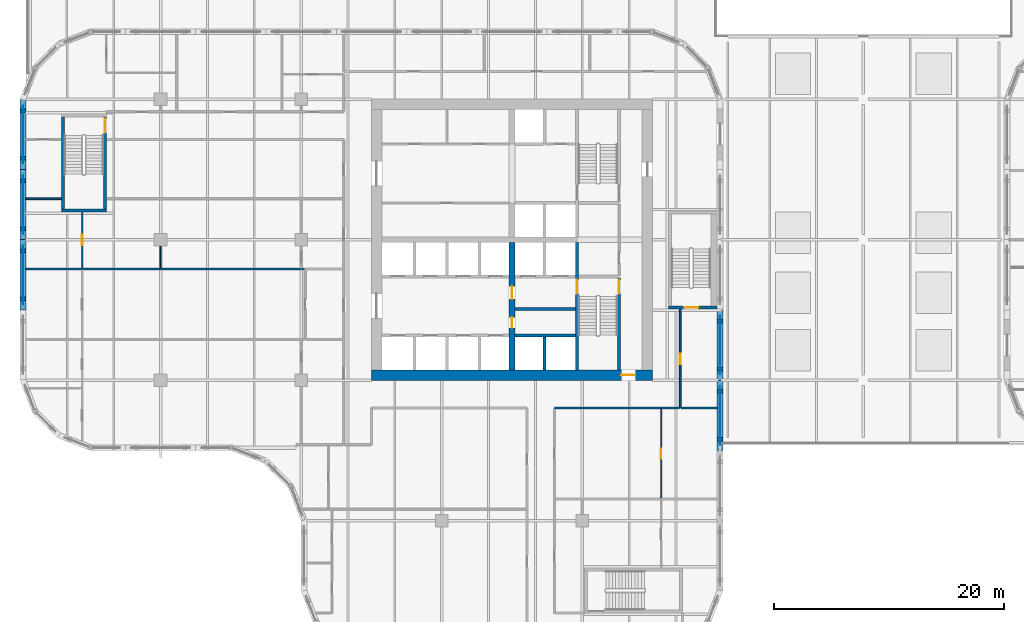
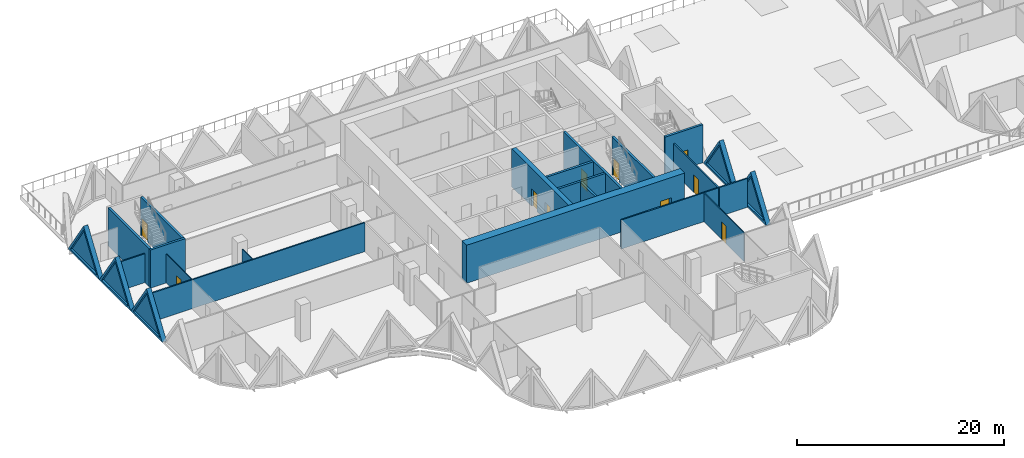
# One storey, part 9 of 21: 24 walls, 10 doors, 5 plates, 15 openings.
"""IFC4 building model written with IfcOpenShell, lengths in metres."""

from ifc_helpers import new_model, si_unit, direction, frame, frame_2d, origin, place, context, subcontext, project, spatial, polyline, rectangle, outline, extrude, faceted_brep, source, transform, mapped, material, layer, layer_set, type_object, element, fill, save


model = new_model("IFC4")

# Units and contexts
model_context = context("Model", 3, precision=1e-05, world=origin(), true_north=direction((0.0, 1.0)))
body_context = subcontext(model_context, "Body", "Model", "MODEL_VIEW")
ifc_project = project(units=[si_unit("LENGTHUNIT", "METRE"), si_unit("AREAUNIT", "SQUARE_METRE"), si_unit("VOLUMEUNIT", "CUBIC_METRE"), si_unit("PLANEANGLEUNIT", "RADIAN"), si_unit("MASSUNIT", "GRAM", prefix="KILO")], contexts=[model_context])

# Site, building, storey
site_placement = place(None, origin())
site = spatial("IfcSite", under=ifc_project, at=site_placement, CompositionType="ELEMENT")
building_placement = place(site_placement, origin())
building = spatial("IfcBuilding", under=site, at=building_placement, Name="Tessera Gate Towers", CompositionType="ELEMENT")
storey_placement = place(building_placement, frame((0.0, 0.0, 16.800048828125)))
storey = spatial("IfcBuildingStorey", under=building, at=storey_placement, Name="L03", CompositionType="ELEMENT", Elevation=16.800048828125)

# Wall, opening, door
ifc_material_1 = material(Name="Concrete C40/50", Category="concrete")
ifc_layer_1 = layer(ifc_material_1, 0.25)
ifc_layer_set_1 = layer_set([ifc_layer_1], Name="CORE ENCLOSURE WALL 250")
wall_type_1 = type_object("IfcWallType", Name="CORE ENCLOSURE WALL 250", PredefinedType="SOLIDWALL", material=ifc_layer_set_1)
wall_1_placement = place(storey_placement, frame((48.35009765625, 36.35009765625, 0.0), z_axis=(0.0, 0.0, 1.0), x_axis=(0.0, -1.0, 0.0)))
wall_1 = element("IfcWall", 1, at=wall_1_placement, inside=storey, type_object=wall_type_1, Name="L03 shaft and stair enclosure wall", PredefinedType="SOLIDWALL", context=body_context, shape_type="SweptSolid", body=[
    extrude(rectangle(XDim=11.050048828125, YDim=0.25, at=frame_2d((5.52490234375, 0.0))), origin(), (0.0, 0.0, 1.0), 4.5),
])
shared_shape_1 = source(origin(), body_context, "Body", "SweptSolid", [
    extrude(rectangle(XDim=1.199951171875, YDim=2.10009765625, at=frame_2d((0.60009765625, 1.050048828125))), frame((0.0, 0.135009765625, 0.0), z_axis=(0.0, -1.0, 0.0), x_axis=(1.0, 0.0, 0.0)), (0.0, 0.0, 1.0), 0.27001953125),
])
opening_1_placement = place(wall_1_placement, frame((3.22509765625, 0.0, 0.0)))
opening_1 = element("IfcOpeningElement", 2, at=opening_1_placement, cuts=wall_1, Name="Opening SD-ST1-1", PredefinedType="OPENING", context=body_context, shape_type="MappedRepresentation", body=[
    mapped(shared_shape_1, transform((0.0, 0.0, 0.0), scale=1.0)),
])
ifc_material_2 = material(Name="Hollow steel fire door", Category="steel")
door_type_1 = type_object("IfcDoorType", Name="CORE DOOR SD 1200x2100", OperationType="NOTDEFINED", PredefinedType="DOOR", material=ifc_material_2)
shared_shape_2 = source(origin(), body_context, "Body", "SweptSolid", [
    extrude(rectangle(XDim=1.199951171875, YDim=2.10009765625, at=frame_2d((0.60009765625, 1.050048828125))), frame((0.0, 0.02490234375, 0.0), z_axis=(0.0, -1.0, 0.0), x_axis=(1.0, 0.0, 0.0)), (0.0, 0.0, 1.0), 0.050048828125),
])
door_1_placement = place(opening_1_placement, origin())
door_1 = element("IfcDoor", 3, at=door_1_placement, inside=storey, type_object=door_type_1, Name="Stair door", OperationType="SINGLE_SWING_LEFT", OverallHeight=2.10009765625, OverallWidth=1.199951171875, PredefinedType="DOOR", context=body_context, shape_type="MappedRepresentation", body=[
    mapped(shared_shape_2, transform((0.0, 0.0, 0.0), scale=1.0)),
])
fill(opening_1, door_1)

# Wall
wall_2_placement = place(storey_placement, frame((42.949951171875, 28.300048828125, 0.0), z_axis=(0.0, 0.0, 1.0), x_axis=(1.0, 0.0, 0.0)))
element("IfcWall", 4, at=wall_2_placement, inside=storey, type_object=wall_type_1, Name="L03 shaft and stair enclosure wall", PredefinedType="SOLIDWALL", context=body_context, shape_type="SweptSolid", body=[
    extrude(rectangle(XDim=5.275146484375, YDim=0.25, at=frame_2d((2.6376953125, 0.0))), origin(), (0.0, 0.0, 1.0), 4.5),
])

# Wall, opening, door
wall_3_placement = place(storey_placement, frame((52.0, 25.300048828125, 0.0), z_axis=(0.0, 0.0, 1.0), x_axis=(0.0, 1.0, 0.0)))
wall_3 = element("IfcWall", 5, at=wall_3_placement, inside=storey, type_object=wall_type_1, Name="L03 shaft and stair enclosure wall", PredefinedType="SOLIDWALL", context=body_context, shape_type="SweptSolid", body=[
    extrude(rectangle(XDim=7.974853515625, YDim=0.25, at=frame_2d((3.9873046875, 0.0))), origin(), (0.0, 0.0, 1.0), 4.5),
])
opening_2_placement = place(wall_3_placement, frame((6.625, 0.0, 0.0)))
opening_2 = element("IfcOpeningElement", 6, at=opening_2_placement, cuts=wall_3, Name="Opening SD-ST1-2", PredefinedType="OPENING", context=body_context, shape_type="MappedRepresentation", body=[
    mapped(shared_shape_1, transform((0.0, 0.0, 0.0), scale=1.0)),
])
door_2_placement = place(opening_2_placement, origin())
door_2 = element("IfcDoor", 7, at=door_2_placement, inside=storey, type_object=door_type_1, Name="Stair door", OperationType="SINGLE_SWING_RIGHT", OverallHeight=2.10009765625, OverallWidth=1.199951171875, PredefinedType="DOOR", context=body_context, shape_type="MappedRepresentation", body=[
    mapped(shared_shape_2, transform((0.0, 0.0, 0.0), scale=1.0)),
])
fill(opening_2, door_2)

# Walls
wall_4_placement = place(storey_placement, frame((42.949951171875, 30.60009765625, 0.0), z_axis=(0.0, 0.0, 1.0), x_axis=(1.0, 0.0, 0.0)))
element("IfcWall", 8, at=wall_4_placement, inside=storey, type_object=wall_type_1, Name="L03 shaft and stair enclosure wall", PredefinedType="SOLIDWALL", context=body_context, shape_type="SweptSolid", body=[
    extrude(rectangle(XDim=5.275146484375, YDim=0.25, at=frame_2d((2.6376953125, 0.0))), origin(), (0.0, 0.0, 1.0), 4.5),
])
wall_5_placement = place(storey_placement, frame((45.52490234375, 25.300048828125, 0.0), z_axis=(0.0, 0.0, 1.0), x_axis=(0.0, 1.0, 0.0)))
element("IfcWall", 9, at=wall_5_placement, inside=storey, type_object=wall_type_1, Name="L03 shaft and stair enclosure wall", PredefinedType="SOLIDWALL", context=body_context, shape_type="SweptSolid", body=[
    extrude(rectangle(XDim=2.875, YDim=0.25, at=frame_2d((1.4375, 0.0))), origin(), (0.0, 0.0, 1.0), 4.5),
])
wall_6_placement = place(storey_placement, frame((7.5, 39.125, 0.0), z_axis=(0.0, 0.0, 1.0), x_axis=(-1.0, 0.0, 0.0)))
element("IfcWall", 10, at=wall_6_placement, inside=storey, type_object=wall_type_1, Name="L03 ST3 enclosure wall", PredefinedType="SOLIDWALL", context=body_context, shape_type="SweptSolid", body=[
    extrude(rectangle(XDim=3.89990234375, YDim=0.25, at=frame_2d((1.949951171875, 0.0))), origin(), (0.0, 0.0, 1.0), 4.5),
])
wall_7_placement = place(storey_placement, frame((3.72509765625, 39.25, 0.0), z_axis=(0.0, 0.0, 1.0), x_axis=(0.0, 1.0, 0.0)))
element("IfcWall", 11, at=wall_7_placement, inside=storey, type_object=wall_type_1, Name="L03 ST3 enclosure wall", PredefinedType="SOLIDWALL", context=body_context, shape_type="SweptSolid", body=[
    extrude(rectangle(XDim=8.0, YDim=0.25, at=frame_2d((4.0, 0.0))), origin(), (0.0, 0.0, 1.0), 4.5),
])

# Wall, opening, door
wall_8_placement = place(storey_placement, frame((7.375, 47.25, 0.0), z_axis=(0.0, 0.0, 1.0), x_axis=(0.0, -1.0, 0.0)))
wall_8 = element("IfcWall", 12, at=wall_8_placement, inside=storey, type_object=wall_type_1, Name="L03 ST3 enclosure wall", PredefinedType="SOLIDWALL", context=body_context, shape_type="SweptSolid", body=[
    extrude(rectangle(XDim=8.0, YDim=0.25, at=frame_2d((4.0, 0.0))), origin(), (0.0, 0.0, 1.0), 4.5),
])
opening_3_placement = place(wall_8_placement, frame((0.14990234375, 0.0, 0.0)))
opening_3 = element("IfcOpeningElement", 13, at=opening_3_placement, cuts=wall_8, Name="Opening SD-ST3-1", PredefinedType="OPENING", context=body_context, shape_type="MappedRepresentation", body=[
    mapped(shared_shape_1, transform((0.0, 0.0, 0.0), scale=1.0)),
])
door_3_placement = place(opening_3_placement, origin())
door_3 = element("IfcDoor", 14, at=door_3_placement, inside=storey, type_object=door_type_1, Name="Stair door", OperationType="SINGLE_SWING_LEFT", OverallHeight=2.10009765625, OverallWidth=1.199951171875, PredefinedType="DOOR", context=body_context, shape_type="MappedRepresentation", body=[
    mapped(shared_shape_2, transform((0.0, 0.0, 0.0), scale=1.0)),
])
fill(opening_3, door_3)

wall_9_placement = place(storey_placement, frame((60.5, 30.72509765625, 0.0), z_axis=(0.0, 0.0, 1.0), x_axis=(-1.0, 0.0, 0.0)))
wall_9 = element("IfcWall", 15, at=wall_9_placement, inside=storey, type_object=wall_type_1, Name="L03 ST5 enclosure wall", PredefinedType="SOLIDWALL", context=body_context, shape_type="SweptSolid", body=[
    extrude(rectangle(XDim=4.199951171875, YDim=0.25, at=frame_2d((2.10009765625, 0.0))), origin(), (0.0, 0.0, 1.0), 4.5),
])
opening_4_placement = place(wall_9_placement, frame((1.64990234375, 0.0, 0.0)))
opening_4 = element("IfcOpeningElement", 16, at=opening_4_placement, cuts=wall_9, Name="Opening SD-ST5-1", PredefinedType="OPENING", context=body_context, shape_type="MappedRepresentation", body=[
    mapped(shared_shape_1, transform((0.0, 0.0, 0.0), scale=1.0)),
])
door_4_placement = place(opening_4_placement, origin())
door_4 = element("IfcDoor", 17, at=door_4_placement, inside=storey, type_object=door_type_1, Name="Stair door", OperationType="SINGLE_SWING_RIGHT", OverallHeight=2.10009765625, OverallWidth=1.199951171875, PredefinedType="DOOR", context=body_context, shape_type="MappedRepresentation", body=[
    mapped(shared_shape_2, transform((0.0, 0.0, 0.0), scale=1.0)),
])
fill(opening_4, door_4)

ifc_material_3 = material(Name="Concrete C70/85", Category="concrete")
ifc_layer_2 = layer(ifc_material_3, 0.89990234375)
ifc_layer_set_2 = layer_set([ifc_layer_2], Name="CORE SHEAR WALL 900 C70/85")
wall_type_2 = type_object("IfcWallType", Name="CORE SHEAR WALL 900 C70/85", PredefinedType="SHEAR", material=ifc_layer_set_2)
wall_10_placement = place(storey_placement, frame((54.89990234375, 24.85009765625, 0.0), z_axis=(0.0, 0.0, 1.0), x_axis=(-1.0, 0.0, 0.0)))
wall_10 = element("IfcWall", 18, at=wall_10_placement, inside=storey, type_object=wall_type_2, Name="Core wall S L03", PredefinedType="SHEAR", context=body_context, shape_type="SweptSolid", body=[
    extrude(rectangle(XDim=24.39990234375, YDim=0.89990234375, at=frame_2d((12.199951171875, 0.0))), origin(), (0.0, 0.0, 1.0), 4.5),
])
shared_shape_3 = source(origin(), body_context, "Body", "SweptSolid", [
    extrude(rectangle(XDim=1.199951171875, YDim=2.10009765625, at=frame_2d((0.60009765625, 1.050048828125))), frame((0.0, 0.4599609375, 0.0), z_axis=(0.0, -1.0, 0.0), x_axis=(1.0, 0.0, 0.0)), (0.0, 0.0, 1.0), 0.919921875),
])
opening_5_placement = place(wall_10_placement, frame((1.5, 0.0, 0.0)))
opening_5 = element("IfcOpeningElement", 19, at=opening_5_placement, cuts=wall_10, Name="Opening ED-T1-04-01", PredefinedType="OPENING", context=body_context, shape_type="MappedRepresentation", body=[
    mapped(shared_shape_3, transform((0.0, 0.0, 0.0), scale=1.0)),
])
ifc_material_4 = material(Name="Hollow steel fire door", Category="steel")
door_type_2 = type_object("IfcDoorType", Name="CORE DOOR ED 1200x2100", OperationType="NOTDEFINED", PredefinedType="DOOR", material=ifc_material_4)
door_5_placement = place(opening_5_placement, origin())
door_5 = element("IfcDoor", 20, at=door_5_placement, inside=storey, type_object=door_type_2, Name="Core exit door", OperationType="SINGLE_SWING_LEFT", OverallHeight=2.10009765625, OverallWidth=1.199951171875, PredefinedType="DOOR", context=body_context, shape_type="MappedRepresentation", body=[
    mapped(shared_shape_2, transform((0.0, 0.0, 0.0), scale=1.0)),
])
fill(opening_5, door_5)

# Wall, openings, doors
ifc_material_5 = material(Name="Concrete C70/85", Category="concrete")
ifc_layer_3 = layer(ifc_material_5, 0.5)
ifc_layer_set_3 = layer_set([ifc_layer_3], Name="CORE SPINE WALL 500 C70/85")
wall_type_3 = type_object("IfcWallType", Name="CORE SPINE WALL 500 C70/85", PredefinedType="SHEAR", material=ifc_layer_set_3)
wall_11_placement = place(storey_placement, frame((42.699951171875, 36.35009765625, 0.0), z_axis=(0.0, 0.0, 1.0), x_axis=(0.0, -1.0, 0.0)))
wall_11 = element("IfcWall", 21, at=wall_11_placement, inside=storey, type_object=wall_type_3, Name="Core wall spine L03", PredefinedType="SHEAR", context=body_context, shape_type="SweptSolid", body=[
    extrude(rectangle(XDim=11.050048828125, YDim=0.5, at=frame_2d((5.52490234375, 0.0))), origin(), (0.0, 0.0, 1.0), 4.5),
])
shared_shape_4 = source(origin(), body_context, "Body", "SweptSolid", [
    extrude(rectangle(XDim=0.89990234375, YDim=2.10009765625, at=frame_2d((0.449951171875, 1.050048828125))), frame((0.0, 0.260009765625, 0.0), z_axis=(0.0, -1.0, 0.0), x_axis=(1.0, 0.0, 0.0)), (0.0, 0.0, 1.0), 0.52001953125),
])
opening_6_placement = place(wall_11_placement, frame((6.5, 0.0, 0.0)))
opening_6 = element("IfcOpeningElement", 22, at=opening_6_placement, cuts=wall_11, Name="Opening RD-T1-04-05", PredefinedType="OPENING", context=body_context, shape_type="MappedRepresentation", body=[
    mapped(shared_shape_4, transform((0.0, 0.0, 0.0), scale=1.0)),
])
shared_shape_5 = source(origin(), body_context, "Body", "SweptSolid", [
    extrude(rectangle(XDim=1.10009765625, YDim=2.10009765625, at=frame_2d((0.550048828125, 1.050048828125))), frame((0.0, 0.260009765625, 0.0), z_axis=(0.0, -1.0, 0.0), x_axis=(1.0, 0.0, 0.0)), (0.0, 0.0, 1.0), 0.52001953125),
])
opening_7_placement = place(wall_11_placement, frame((3.800048828125, 0.0, 0.0)))
opening_7 = element("IfcOpeningElement", 23, at=opening_7_placement, cuts=wall_11, Name="Opening FD-T1-04-06", PredefinedType="OPENING", context=body_context, shape_type="MappedRepresentation", body=[
    mapped(shared_shape_5, transform((0.0, 0.0, 0.0), scale=1.0)),
])
ifc_material_6 = material(Name="Hollow steel fire door", Category="steel")
door_type_3 = type_object("IfcDoorType", Name="CORE DOOR RD 900x2100", OperationType="NOTDEFINED", PredefinedType="DOOR", material=ifc_material_6)
shared_shape_6 = source(origin(), body_context, "Body", "SweptSolid", [
    extrude(rectangle(XDim=0.89990234375, YDim=2.10009765625, at=frame_2d((0.449951171875, 1.050048828125))), frame((0.0, 0.02490234375, 0.0), z_axis=(0.0, -1.0, 0.0), x_axis=(1.0, 0.0, 0.0)), (0.0, 0.0, 1.0), 0.050048828125),
])
door_6_placement = place(opening_6_placement, origin())
door_6 = element("IfcDoor", 24, at=door_6_placement, inside=storey, type_object=door_type_3, Name="Core room door", OperationType="SINGLE_SWING_RIGHT", OverallHeight=2.10009765625, OverallWidth=0.89990234375, PredefinedType="DOOR", context=body_context, shape_type="MappedRepresentation", body=[
    mapped(shared_shape_6, transform((0.0, 0.0, 0.0), scale=1.0)),
])
fill(opening_6, door_6)
ifc_material_7 = material(Name="Hollow steel fire door", Category="steel")
door_type_4 = type_object("IfcDoorType", Name="CORE DOOR FD 1100x2100", OperationType="NOTDEFINED", PredefinedType="DOOR", material=ifc_material_7)
shared_shape_7 = source(origin(), body_context, "Body", "SweptSolid", [
    extrude(rectangle(XDim=1.10009765625, YDim=2.10009765625, at=frame_2d((0.550048828125, 1.050048828125))), frame((0.0, 0.02490234375, 0.0), z_axis=(0.0, -1.0, 0.0), x_axis=(1.0, 0.0, 0.0)), (0.0, 0.0, 1.0), 0.050048828125),
])
door_7_placement = place(opening_7_placement, origin())
door_7 = element("IfcDoor", 25, at=door_7_placement, inside=storey, type_object=door_type_4, Name="Fire-fighting lobby door", OperationType="SINGLE_SWING_LEFT", OverallHeight=2.10009765625, OverallWidth=1.10009765625, PredefinedType="DOOR", context=body_context, shape_type="MappedRepresentation", body=[
    mapped(shared_shape_7, transform((0.0, 0.0, 0.0), scale=1.0)),
])
fill(opening_7, door_7)

# Wall
ifc_material_8 = material(Name="Gypsum board on steel studs, mineral wool", Category="steel")
ifc_layer_4 = layer(ifc_material_8, 0.14990234375)
ifc_layer_set_4 = layer_set([ifc_layer_4], Name="CORRIDOR WALL 150")
wall_type_4 = type_object("IfcWallType", Name="CORRIDOR WALL 150", PredefinedType="PARTITIONING", material=ifc_layer_set_4)
wall_12_placement = place(storey_placement, frame((46.39990234375, 22.0, 0.0), z_axis=(0.0, 0.0, 1.0), x_axis=(1.0, 0.0, 0.0)))
element("IfcWall", 26, at=wall_12_placement, inside=storey, type_object=wall_type_4, Name="T1-L03-PW-023", PredefinedType="PARTITIONING", context=body_context, shape_type="SweptSolid", body=[
    extrude(rectangle(XDim=10.82421875, YDim=0.14990234375, at=frame_2d((5.412109375, 0.0))), origin(), (0.0, 0.0, 1.0), 3.4150390625),
])

# Wall, opening, door
wall_13_placement = place(storey_placement, frame((57.300048828125, 30.60009765625, 0.0), z_axis=(0.0, 0.0, 1.0), x_axis=(0.0, -1.0, 0.0)))
wall_13 = element("IfcWall", 27, at=wall_13_placement, inside=storey, type_object=wall_type_4, Name="T1-L03-PW-024", PredefinedType="PARTITIONING", context=body_context, shape_type="SweptSolid", body=[
    extrude(rectangle(XDim=8.60009765625, YDim=0.14990234375, at=frame_2d((4.300048828125, 0.0))), origin(), (0.0, 0.0, 1.0), 3.4150390625),
])
shared_shape_8 = source(origin(), body_context, "Body", "SweptSolid", [
    extrude(rectangle(XDim=0.89990234375, YDim=2.10009765625, at=frame_2d((0.449951171875, 1.050048828125))), frame((0.0, 0.0849609375, 0.0), z_axis=(0.0, -1.0, 0.0), x_axis=(1.0, 0.0, 0.0)), (0.0, 0.0, 1.0), 0.169921875),
])
opening_8_placement = place(wall_13_placement, frame((3.89990234375, 0.0, 0.0)))
opening_8 = element("IfcOpeningElement", 28, at=opening_8_placement, cuts=wall_13, Name="Opening D890FD60-A00-05", PredefinedType="OPENING", context=body_context, shape_type="MappedRepresentation", body=[
    mapped(shared_shape_8, transform((0.0, 0.0, 0.0), scale=1.0)),
])
ifc_material_9 = material(Name="Timber door leaf in steel frame", Category="steel")
door_type_5 = type_object("IfcDoorType", Name="CORRIDOR DOOR 900 FD60", OperationType="NOTDEFINED", PredefinedType="DOOR", material=ifc_material_9)
door_8_placement = place(opening_8_placement, origin())
door_8 = element("IfcDoor", 29, at=door_8_placement, inside=storey, type_object=door_type_5, Name="T1-L03-PD-022", OperationType="SINGLE_SWING_RIGHT", OverallHeight=2.10009765625, OverallWidth=0.89990234375, PredefinedType="DOOR", context=body_context, shape_type="MappedRepresentation", body=[
    mapped(shared_shape_6, transform((0.0, 0.0, 0.0), scale=1.0)),
])
fill(opening_8, door_8)

ifc_material_10 = material(Name="Gypsum board on steel studs", Category="steel")
ifc_layer_5 = layer(ifc_material_10, 0.10009765625)
ifc_layer_set_5 = layer_set([ifc_layer_5], Name="PARTITION 100")
wall_type_5 = type_object("IfcWallType", Name="PARTITION 100", PredefinedType="PARTITIONING", material=ifc_layer_set_5)
wall_14_placement = place(storey_placement, frame((55.64990234375, 21.924072265625, 0.0), z_axis=(0.0, 0.0, 1.0), x_axis=(0.0, -1.0, 0.0)))
wall_14 = element("IfcWall", 30, at=wall_14_placement, inside=storey, type_object=wall_type_5, Name="T1-L03-PW-014", PredefinedType="PARTITIONING", context=body_context, shape_type="SweptSolid", body=[
    extrude(rectangle(XDim=7.748046875, YDim=0.10009765625, at=frame_2d((3.8740234375, 0.0))), origin(), (0.0, 0.0, 1.0), 3.4150390625),
])
shared_shape_9 = source(origin(), body_context, "Body", "SweptSolid", [
    extrude(rectangle(XDim=0.89990234375, YDim=2.10009765625, at=frame_2d((0.449951171875, 1.050048828125))), frame((0.0, 0.06005859375, 0.0), z_axis=(0.0, -1.0, 0.0), x_axis=(1.0, 0.0, 0.0)), (0.0, 0.0, 1.0), 0.1201171875),
])
opening_9_placement = place(wall_14_placement, frame((3.447998046875, 0.0, 0.0)))
opening_9 = element("IfcOpeningElement", 31, at=opening_9_placement, cuts=wall_14, Name="Opening D190-A00-11", PredefinedType="OPENING", context=body_context, shape_type="MappedRepresentation", body=[
    mapped(shared_shape_9, transform((0.0, 0.0, 0.0), scale=1.0)),
])
ifc_material_11 = material(Name="Timber door leaf in steel frame", Category="steel")
door_type_6 = type_object("IfcDoorType", Name="INTERNAL DOOR 900 NOT RATED", OperationType="NOTDEFINED", PredefinedType="DOOR", material=ifc_material_11)
door_9_placement = place(opening_9_placement, origin())
door_9 = element("IfcDoor", 32, at=door_9_placement, inside=storey, type_object=door_type_6, Name="T1-L03-PD-019", OperationType="SINGLE_SWING_RIGHT", OverallHeight=2.10009765625, OverallWidth=0.89990234375, PredefinedType="DOOR", context=body_context, shape_type="MappedRepresentation", body=[
    mapped(shared_shape_6, transform((0.0, 0.0, 0.0), scale=1.0)),
])
fill(opening_9, door_9)

wall_15_placement = place(storey_placement, frame((5.39990234375, 34.1259765625, 0.0), z_axis=(0.0, 0.0, 1.0), x_axis=(0.0, 1.0, 0.0)))
wall_15 = element("IfcWall", 33, at=wall_15_placement, inside=storey, type_object=wall_type_5, Name="T1-L03-PW-035", PredefinedType="PARTITIONING", context=body_context, shape_type="SweptSolid", body=[
    extrude(rectangle(XDim=4.8740234375, YDim=0.10009765625, at=frame_2d((2.43701171875, 0.0))), origin(), (0.0, 0.0, 1.0), 3.4150390625),
])
opening_10_placement = place(wall_15_placement, frame((2.0, 0.0, 0.0)))
opening_10 = element("IfcOpeningElement", 34, at=opening_10_placement, cuts=wall_15, Name="Opening D190-A00-05", PredefinedType="OPENING", context=body_context, shape_type="MappedRepresentation", body=[
    mapped(shared_shape_9, transform((0.0, 0.0, 0.0), scale=1.0)),
])
door_10_placement = place(opening_10_placement, origin())
door_10 = element("IfcDoor", 35, at=door_10_placement, inside=storey, type_object=door_type_6, Name="T1-L03-PD-006", OperationType="SINGLE_SWING_LEFT", OverallHeight=2.10009765625, OverallWidth=0.89990234375, PredefinedType="DOOR", context=body_context, shape_type="MappedRepresentation", body=[
    mapped(shared_shape_6, transform((0.0, 0.0, 0.0), scale=1.0)),
])
fill(opening_10, door_10)

# Walls
wall_16_placement = place(storey_placement, frame((12.199951171875, 36.050048828125, 0.0), z_axis=(0.0, 0.0, 1.0), x_axis=(0.0, -1.0, 0.0)))
element("IfcWall", 36, at=wall_16_placement, inside=storey, type_object=wall_type_5, Name="T1-L03-PW-037", PredefinedType="PARTITIONING", context=body_context, shape_type="SweptSolid", body=[
    extrude(rectangle(XDim=1.925048828125, YDim=0.10009765625, at=frame_2d((0.96240234375, 0.0))), origin(), (0.0, 0.0, 1.0), 3.4150390625),
])
ifc_material_12 = material(Name="Gypsum board on steel studs, mineral wool", Category="steel")
ifc_layer_6 = layer(ifc_material_12, 0.14990234375)
ifc_layer_set_6 = layer_set([ifc_layer_6], Name="TENANCY WALL 150")
wall_type_6 = type_object("IfcWallType", Name="TENANCY WALL 150", PredefinedType="PARTITIONING", material=ifc_layer_set_6)
wall_17_placement = place(storey_placement, frame((57.3759765625, 22.0, 0.0), z_axis=(0.0, 0.0, 1.0), x_axis=(1.0, 0.0, 0.0)))
element("IfcWall", 37, at=wall_17_placement, inside=storey, type_object=wall_type_6, Name="T1-L03-PW-025", PredefinedType="PARTITIONING", context=body_context, shape_type="SweptSolid", body=[
    extrude(rectangle(XDim=3.1240234375, YDim=0.14990234375, at=frame_2d((1.56201171875, 0.0))), origin(), (0.0, 0.0, 1.0), 3.4150390625),
])
wall_18_placement = place(storey_placement, frame((0.5, 34.050048828125, 0.0), z_axis=(0.0, 0.0, 1.0), x_axis=(1.0, 0.0, 0.0)))
element("IfcWall", 38, at=wall_18_placement, inside=storey, type_object=wall_type_6, Name="T1-L03-PW-033", PredefinedType="PARTITIONING", context=body_context, shape_type="SweptSolid", body=[
    extrude(rectangle(XDim=24.174072265625, YDim=0.14990234375, at=frame_2d((12.0869140625, 0.0))), origin(), (0.0, 0.0, 1.0), 3.4150390625),
])
wall_19_placement = place(storey_placement, frame((0.5, 40.14990234375, 0.0), z_axis=(0.0, 0.0, 1.0), x_axis=(1.0, 0.0, 0.0)))
element("IfcWall", 39, at=wall_19_placement, inside=storey, type_object=wall_type_6, Name="T1-L03-PW-039", PredefinedType="PARTITIONING", context=body_context, shape_type="SweptSolid", body=[
    extrude(rectangle(XDim=3.10009765625, YDim=0.14990234375, at=frame_2d((1.550048828125, 0.0))), origin(), (0.0, 0.0, 1.0), 3.4150390625),
])

# Wall, opening, plate
ifc_material_13 = material(Name="Precast concrete C60/75 white", Category="concrete")
ifc_layer_7 = layer(ifc_material_13, 0.5)
ifc_layer_set_7 = layer_set([ifc_layer_7], Name="TS2 half tessera")
wall_type_7 = type_object("IfcWallType", Name="TS2 half tessera", PredefinedType="SOLIDWALL", material=ifc_layer_set_7)
shared_shape_10 = source(origin(), body_context, "Body", "Brep", [
    faceted_brep([(6.099853515625, -0.25, 0.000244140625), (3.050048828125, -0.25, 4.5), (0.0, -0.25, 0.0), (6.099853515625, -0.25, 0.0), (0.0, 0.25, 0.0), (3.050048828125, 0.25, 4.5), (6.099853515625, 0.25, 0.000244140625), (6.099853515625, 0.25, 0.0)], [[[0, 1, 2, 3]], [[4, 5, 6, 7]], [[6, 5, 1, 0]], [[5, 4, 2, 1]], [[4, 7, 3, 2]], [[3, 7, 6, 0]]]),
])
wall_20_placement = place(storey_placement, frame((60.75, 18.300048828125, 0.0), z_axis=(0.0, 0.0, 1.0), x_axis=(0.0, 1.0, 0.0)))
wall_20 = element("IfcWall", 40, at=wall_20_placement, inside=storey, type_object=wall_type_7, Name="Precast half tessera T1 TS2-0006", PredefinedType="SOLIDWALL", context=body_context, shape_type="MappedRepresentation", body=[
    mapped(shared_shape_10, transform((0.0, 0.0, 0.0), scale=1.0)),
])
shared_shape_11 = source(origin(), body_context, "Body", "SweptSolid", [
    extrude(outline(polyline([(5.628662109375, 0.25), (3.050048828125, 4.054443359375), (0.471435546875, 0.25), (5.628662109375, 0.25)])), frame((0.0, 0.260009765625, 0.0), z_axis=(0.0, -1.0, 0.0), x_axis=(1.0, 0.0, 0.0)), (0.0, 0.0, 1.0), 0.52001953125),
])
opening_11_placement = place(wall_20_placement, origin())
opening_11 = element("IfcOpeningElement", 41, at=opening_11_placement, cuts=wall_20, Name="Opening T1-PL1-0012", PredefinedType="OPENING", context=body_context, shape_type="MappedRepresentation", body=[
    mapped(shared_shape_11, transform((0.0, 0.0, 0.0), scale=1.0)),
])
ifc_material_14 = material(Name="Low-e laminated glass", Category="glass")
ifc_layer_8 = layer(ifc_material_14, 0.06005859375)
ifc_layer_set_8 = layer_set([ifc_layer_8], Name="PL1 triangular pane")
plate_type = type_object("IfcPlateType", Name="PL1 triangular pane", PredefinedType="SHEET", material=ifc_layer_set_8)
shared_shape_12 = source(origin(), body_context, "Body", "SweptSolid", [
    extrude(outline(polyline([(5.628662109375, 0.25), (3.050048828125, 4.054443359375), (0.471435546875, 0.25), (5.628662109375, 0.25)])), frame((0.0, 0.030029296875, 0.0), z_axis=(0.0, -1.0, 0.0), x_axis=(1.0, 0.0, 0.0)), (0.0, 0.0, 1.0), 0.06005859375),
])
plate_1_placement = place(opening_11_placement, origin())
plate_1 = element("IfcPlate", 42, at=plate_1_placement, inside=storey, type_object=plate_type, Name="Glass pane T1 PL1-0012", PredefinedType="SHEET", context=body_context, shape_type="MappedRepresentation", body=[
    mapped(shared_shape_12, transform((0.0, 0.0, 0.0), scale=1.0)),
])
fill(opening_11, plate_1)

wall_21_placement = place(storey_placement, frame((0.25, 42.699951171875, 0.0), z_axis=(0.0, 0.0, 1.0), x_axis=(0.0, -1.0, 0.0)))
wall_21 = element("IfcWall", 43, at=wall_21_placement, inside=storey, type_object=wall_type_7, Name="Precast half tessera T1 TS2-0018", PredefinedType="SOLIDWALL", context=body_context, shape_type="MappedRepresentation", body=[
    mapped(shared_shape_10, transform((0.0, 0.0, 0.0), scale=1.0)),
])
opening_12_placement = place(wall_21_placement, origin())
opening_12 = element("IfcOpeningElement", 44, at=opening_12_placement, cuts=wall_21, Name="Opening T1-PL1-0032", PredefinedType="OPENING", context=body_context, shape_type="MappedRepresentation", body=[
    mapped(shared_shape_11, transform((0.0, 0.0, 0.0), scale=1.0)),
])
plate_2_placement = place(opening_12_placement, origin())
plate_2 = element("IfcPlate", 45, at=plate_2_placement, inside=storey, type_object=plate_type, Name="Glass pane T1 PL1-0032", PredefinedType="SHEET", context=body_context, shape_type="MappedRepresentation", body=[
    mapped(shared_shape_12, transform((0.0, 0.0, 0.0), scale=1.0)),
])
fill(opening_12, plate_2)

shared_shape_13 = source(origin(), body_context, "Body", "SweptSolid", [
    extrude(outline(polyline([(6.10009765625, 0.0), (3.050048828125, 4.5), (0.0, 0.0), (6.10009765625, 0.0)])), frame((0.0, 0.25, 0.0), z_axis=(0.0, -1.0, 0.0), x_axis=(1.0, 0.0, 0.0)), (0.0, 0.0, 1.0), 0.5),
])
wall_22_placement = place(storey_placement, frame((60.75, 24.39990234375, 0.0), z_axis=(0.0, 0.0, 1.0), x_axis=(0.0, 1.0, 0.0)))
wall_22 = element("IfcWall", 46, at=wall_22_placement, inside=storey, type_object=wall_type_7, Name="Precast half tessera T1 TS2-0007", PredefinedType="SOLIDWALL", context=body_context, shape_type="MappedRepresentation", body=[
    mapped(shared_shape_13, transform((0.0, 0.0, 0.0), scale=1.0)),
])
opening_13_placement = place(wall_22_placement, origin())
opening_13 = element("IfcOpeningElement", 47, at=opening_13_placement, cuts=wall_22, Name="Opening T1-PL1-0013", PredefinedType="OPENING", context=body_context, shape_type="MappedRepresentation", body=[
    mapped(shared_shape_11, transform((0.0, 0.0, 0.0), scale=1.0)),
])
plate_3_placement = place(opening_13_placement, origin())
plate_3 = element("IfcPlate", 48, at=plate_3_placement, inside=storey, type_object=plate_type, Name="Glass pane T1 PL1-0013", PredefinedType="SHEET", context=body_context, shape_type="MappedRepresentation", body=[
    mapped(shared_shape_12, transform((0.0, 0.0, 0.0), scale=1.0)),
])
fill(opening_13, plate_3)

wall_23_placement = place(storey_placement, frame((0.25, 36.60009765625, 0.0), z_axis=(0.0, 0.0, 1.0), x_axis=(0.0, -1.0, 0.0)))
wall_23 = element("IfcWall", 49, at=wall_23_placement, inside=storey, type_object=wall_type_7, Name="Precast half tessera T1 TS2-0019", PredefinedType="SOLIDWALL", context=body_context, shape_type="MappedRepresentation", body=[
    mapped(shared_shape_13, transform((0.0, 0.0, 0.0), scale=1.0)),
])
opening_14_placement = place(wall_23_placement, origin())
opening_14 = element("IfcOpeningElement", 50, at=opening_14_placement, cuts=wall_23, Name="Opening T1-PL1-0033", PredefinedType="OPENING", context=body_context, shape_type="MappedRepresentation", body=[
    mapped(shared_shape_11, transform((0.0, 0.0, 0.0), scale=1.0)),
])
plate_4_placement = place(opening_14_placement, origin())
plate_4 = element("IfcPlate", 51, at=plate_4_placement, inside=storey, type_object=plate_type, Name="Glass pane T1 PL1-0033", PredefinedType="SHEET", context=body_context, shape_type="MappedRepresentation", body=[
    mapped(shared_shape_12, transform((0.0, 0.0, 0.0), scale=1.0)),
])
fill(opening_14, plate_4)

shared_shape_14 = source(origin(), body_context, "Body", "Brep", [
    faceted_brep([(6.053466796875, -0.25, 0.0), (3.00341796875, -0.25, 4.5), (0.0, -0.25, 0.0), (0.046630859375, 0.25, 0.06982421875), (3.00341796875, 0.25, 4.5), (6.053466796875, 0.25, 0.0), (0.046630859375, 0.25, 0.0), (0.0, 0.0, 0.0)], [[[0, 1, 2]], [[3, 4, 5, 6]], [[5, 4, 1, 0]], [[4, 3, 7, 2, 1]], [[6, 5, 0, 2, 7]], [[6, 7, 3]]]),
])
wall_24_placement = place(storey_placement, frame((0.25, 48.75341796875, 0.0), z_axis=(0.0, 0.0, 1.0), x_axis=(0.0, -1.0, 0.0)))
wall_24 = element("IfcWall", 52, at=wall_24_placement, inside=storey, type_object=wall_type_7, Name="Precast half tessera T1 TS2-0017", PredefinedType="SOLIDWALL", context=body_context, shape_type="MappedRepresentation", body=[
    mapped(shared_shape_14, transform((0.0, 0.0, 0.0), scale=1.0)),
])
shared_shape_15 = source(origin(), body_context, "Body", "SweptSolid", [
    extrude(outline(polyline([(5.58203125, 0.25), (3.005126953125, 4.052001953125), (0.467529296875, 0.25), (5.58203125, 0.25)])), frame((0.0, 0.260009765625, 0.0), z_axis=(0.0, -1.0, 0.0), x_axis=(1.0, 0.0, 0.0)), (0.0, 0.0, 1.0), 0.52001953125),
])
opening_15_placement = place(wall_24_placement, origin())
opening_15 = element("IfcOpeningElement", 53, at=opening_15_placement, cuts=wall_24, Name="Opening T1-PL1-0031", PredefinedType="OPENING", context=body_context, shape_type="MappedRepresentation", body=[
    mapped(shared_shape_15, transform((0.0, 0.0, 0.0), scale=1.0)),
])
shared_shape_16 = source(origin(), body_context, "Body", "SweptSolid", [
    extrude(outline(polyline([(5.58203125, 0.25), (3.005126953125, 4.052001953125), (0.467529296875, 0.25), (5.58203125, 0.25)])), frame((0.0, 0.030029296875, 0.0), z_axis=(0.0, -1.0, 0.0), x_axis=(1.0, 0.0, 0.0)), (0.0, 0.0, 1.0), 0.06005859375),
])
plate_5_placement = place(opening_15_placement, origin())
plate_5 = element("IfcPlate", 54, at=plate_5_placement, inside=storey, type_object=plate_type, Name="Glass pane T1 PL1-0031", PredefinedType="SHEET", context=body_context, shape_type="MappedRepresentation", body=[
    mapped(shared_shape_16, transform((0.0, 0.0, 0.0), scale=1.0)),
])
fill(opening_15, plate_5)

save(model, "model.ifc")
